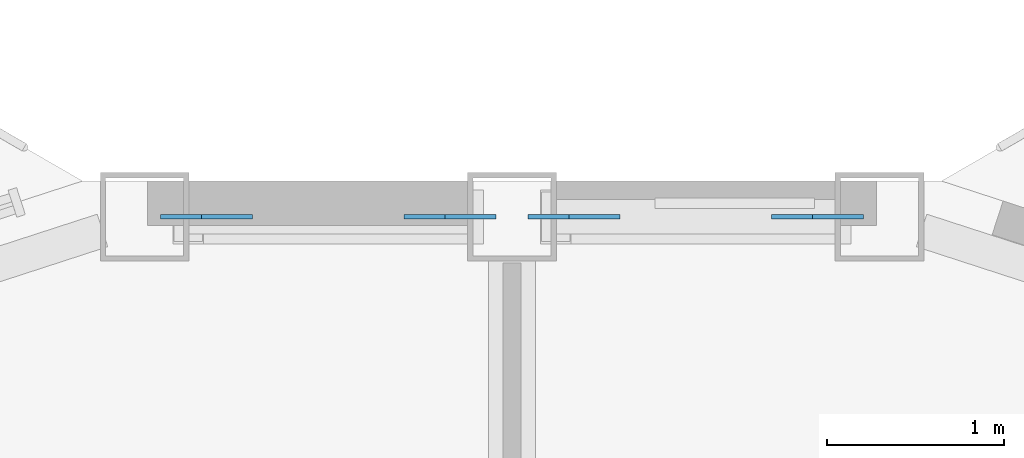
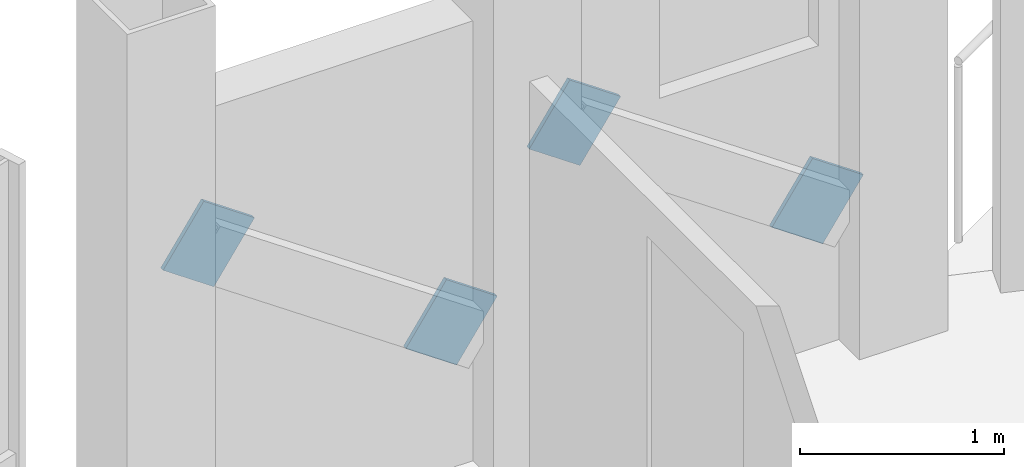
# One storey, part 21 of 26: 4 discrete accessories.
"""IFC4 building model written with IfcOpenShell, lengths in metres."""

from ifc_helpers import new_model, si_unit, direction, frame, origin, origin_2d, place, context, subcontext, project, spatial, rectangle, extrude, material, material_profile, profile_set, type_object, element, save


model = new_model("IFC4")

# Units and contexts
model_context = context("Model", 3, precision=1e-05, world=origin(), true_north=direction((0.0, 1.0)))
body_context = subcontext(model_context, "Body", "Model", "MODEL_VIEW")
ifc_project = project(units=[si_unit("LENGTHUNIT", "METRE"), si_unit("AREAUNIT", "SQUARE_METRE"), si_unit("VOLUMEUNIT", "CUBIC_METRE"), si_unit("PLANEANGLEUNIT", "RADIAN"), si_unit("MASSUNIT", "GRAM", prefix="KILO")], contexts=[model_context])

# Site, building, storey
site_placement = place(None, origin())
site = spatial("IfcSite", under=ifc_project, at=site_placement, CompositionType="ELEMENT")
building_placement = place(site_placement, origin())
building = spatial("IfcBuilding", under=site, at=building_placement, Name="Cormorant Prow Tower", CompositionType="ELEMENT")
storey_placement = place(building_placement, frame((0.0, 0.0, 388.199951171875)))
storey = spatial("IfcBuildingStorey", under=building, at=storey_placement, Name="L88", CompositionType="ELEMENT", Elevation=388.199951171875)

# Discrete accessories
ifc_material = material(Name="Structural steel ASTM A500 Gr C", Category="steel")
ifc_material_profile = material_profile(ifc_material, rectangle(XDim=0.02490234375, YDim=0.405029296875, at=origin_2d()), Name="Gusset plate 25x405")
ifc_profile_set = profile_set([ifc_material_profile], Name="Structural steel ASTM A500 Gr C")
discrete_accessory_type = type_object("IfcDiscreteAccessoryType", Name="Gusset plate 25x405", PredefinedType="BRACKET", material=ifc_profile_set)
discrete_accessory_1_placement = place(storey_placement, frame((1.580322265625, 31.219482421875, 0.941162109375), z_axis=(0.822593864641, 0.0, -0.568629346635), x_axis=(0.0, 1.0, 0.0)))
element("IfcDiscreteAccessory", 1, at=discrete_accessory_1_placement, inside=storey, type_object=discrete_accessory_type, Name="Gusset plate GP3 L88.N00.g0", PredefinedType="BRACKET", context=body_context, shape_type="SweptSolid", body=[
    extrude(rectangle(XDim=0.02490234375, YDim=0.405029296875, at=origin_2d()), origin(), (0.0, 0.0, 1.0), 0.349853515625),
])
discrete_accessory_2_placement = place(storey_placement, frame((0.493408203125, 31.219482421875, 1.692626953125), z_axis=(-0.82226750666, 0.0, 0.569101175093), x_axis=(0.0, -1.0, 0.0)))
element("IfcDiscreteAccessory", 2, at=discrete_accessory_2_placement, inside=storey, type_object=discrete_accessory_type, Name="Gusset plate GP3 L88.N00.g1", PredefinedType="BRACKET", context=body_context, shape_type="SweptSolid", body=[
    extrude(rectangle(XDim=0.02490234375, YDim=0.405029296875, at=origin_2d()), origin(), (0.0, 0.0, 1.0), 0.35009765625),
])
discrete_accessory_3_placement = place(storey_placement, frame((-0.493408203125, 31.219482421875, 0.941162109375), z_axis=(0.822593864641, 0.0, -0.568629346635), x_axis=(0.0, 1.0, 0.0)))
element("IfcDiscreteAccessory", 3, at=discrete_accessory_3_placement, inside=storey, type_object=discrete_accessory_type, Name="Gusset plate GP3 L88.N01.g0", PredefinedType="BRACKET", context=body_context, shape_type="SweptSolid", body=[
    extrude(rectangle(XDim=0.02490234375, YDim=0.405029296875, at=origin_2d()), origin(), (0.0, 0.0, 1.0), 0.349853515625),
])
discrete_accessory_4_placement = place(storey_placement, frame((-1.580322265625, 31.219482421875, 1.692626953125), z_axis=(-0.82226750666, 0.0, 0.569101175093), x_axis=(0.0, -1.0, 0.0)))
element("IfcDiscreteAccessory", 4, at=discrete_accessory_4_placement, inside=storey, type_object=discrete_accessory_type, Name="Gusset plate GP3 L88.N01.g1", PredefinedType="BRACKET", context=body_context, shape_type="SweptSolid", body=[
    extrude(rectangle(XDim=0.02490234375, YDim=0.405029296875, at=origin_2d()), origin(), (0.0, 0.0, 1.0), 0.35009765625),
])

save(model, "model.ifc")
